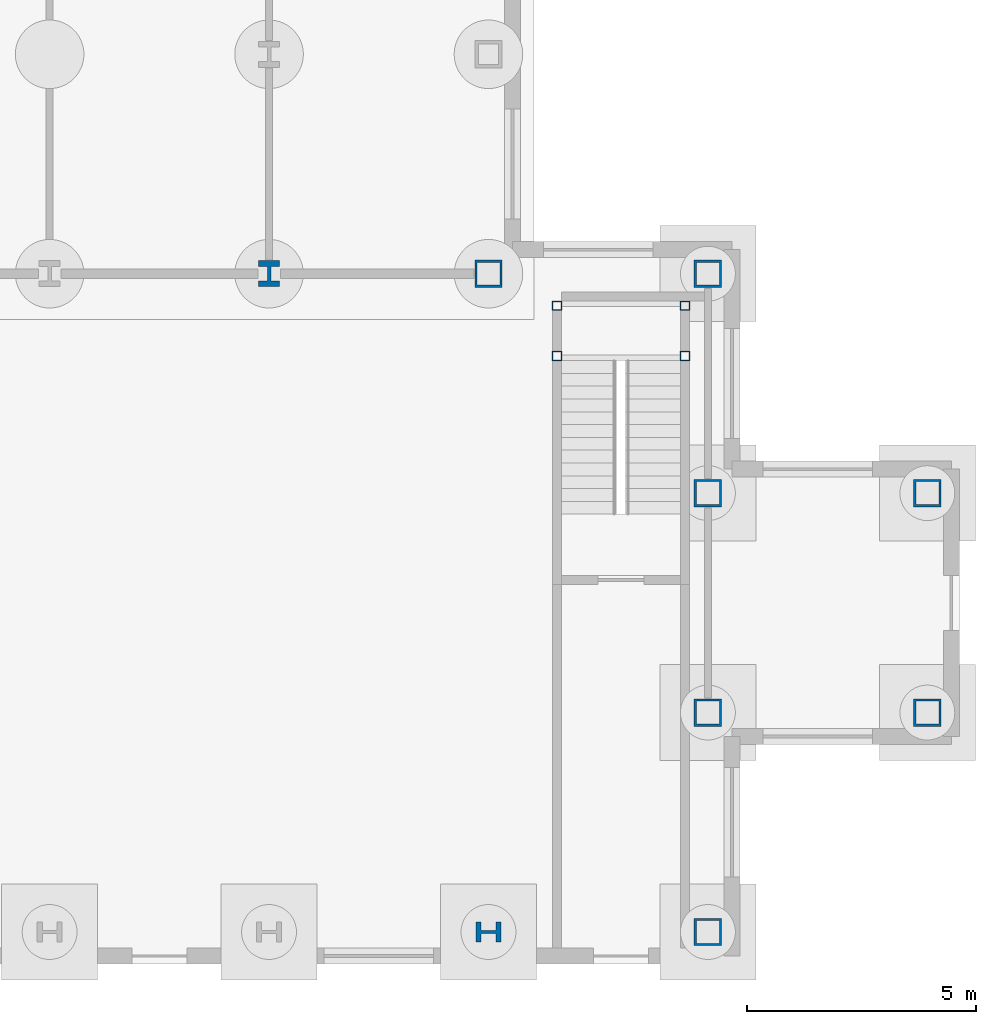
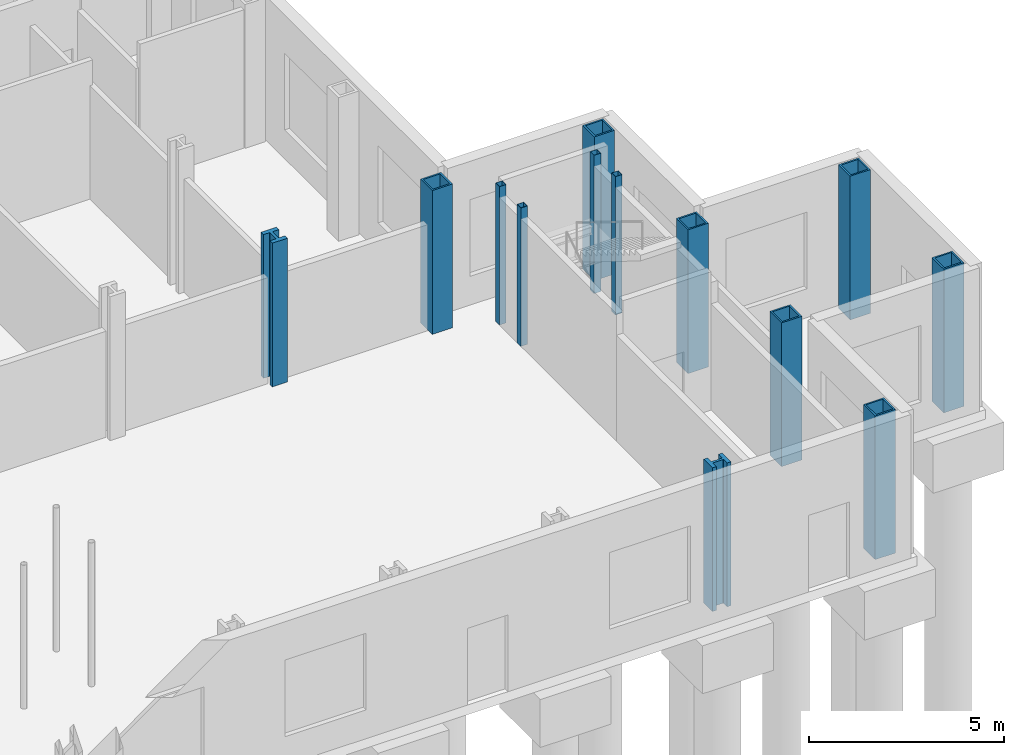
# One storey, part 6 of 22: 13 columns.
"""IFC4 building model written with IfcOpenShell, lengths in metres."""

from ifc_helpers import new_model, si_unit, direction, frame, origin, origin_2d, place, context, subcontext, project, spatial, hollow_rectangle, i_section, extrude, material, material_profile, profile_set, type_object, element, save


model = new_model("IFC4")

# Units and contexts
model_context = context("Model", 3, precision=1e-05, world=origin(), true_north=direction((0.0, 1.0)))
body_context = subcontext(model_context, "Body", "Model", "MODEL_VIEW")
ifc_project = project(units=[si_unit("LENGTHUNIT", "METRE"), si_unit("AREAUNIT", "SQUARE_METRE"), si_unit("VOLUMEUNIT", "CUBIC_METRE"), si_unit("PLANEANGLEUNIT", "RADIAN"), si_unit("MASSUNIT", "GRAM", prefix="KILO")], contexts=[model_context])

# Site, building, storey
site_placement = place(None, origin())
site = spatial("IfcSite", under=ifc_project, at=site_placement, CompositionType="ELEMENT")
building_placement = place(site_placement, origin())
building = spatial("IfcBuilding", under=site, at=building_placement, Name="Kvirike Care Tower", CompositionType="ELEMENT")
storey_placement = place(building_placement, origin())
storey = spatial("IfcBuildingStorey", under=building, at=storey_placement, Name="L00", CompositionType="ELEMENT", Elevation=0.0)

# Columns
ifc_material_1 = material(Name="Steel S460", Category="steel")
ifc_material_profile_1 = material_profile(ifc_material_1, hollow_rectangle(XDim=0.60009765625, YDim=0.60009765625, WallThickness=0.050048828125, at=origin_2d()), Name="BX 600x600x50")
ifc_profile_set_1 = profile_set([ifc_material_profile_1], Name="Steel S460")
column_type_1 = type_object("IfcColumnType", Name="COLUMN BX 600x600x50", PredefinedType="COLUMN", material=ifc_profile_set_1)
for number, where, z_axis, x_axis, name in (
    (1, (43.199951171875, 14.39990234375, 0.0), (0.0, 0.0, 1.0), (0.0, 1.0, 0.0), "Column D12 L00"),
    (2, (48.0, 0.0, 0.0), (0.0, 0.0, 1.0), (0.0, 1.0, 0.0), "Column A13 L00"),
    (3, (48.0, 4.800048828125, 0.0), (0.0, 0.0, 1.0), (0.0, 1.0, 0.0), "Column B13 L00"),
    (4, (48.0, 9.60009765625, 0.0), (0.0, 0.0, 1.0), (0.0, 1.0, 0.0), "Column C13 L00"),
    (5, (48.0, 14.39990234375, 0.0), (0.0, 0.0, 1.0), (0.0, 1.0, 0.0), "Column D13 L00"),
    (6, (52.800048828125, 4.800048828125, 0.0), (0.0, 0.0, 1.0), (0.0, 1.0, 0.0), "Column B14 L00"),
    (7, (52.800048828125, 9.60009765625, 0.0), (0.0, 0.0, 1.0), (0.0, 1.0, 0.0), "Column C14 L00"),
):
    element("IfcColumn", number, at=place(storey_placement, frame(where, z_axis=z_axis, x_axis=x_axis)), inside=storey, type_object=column_type_1, Name=name, PredefinedType="COLUMN", context=body_context, shape_type="SweptSolid", body=[
        extrude(hollow_rectangle(XDim=0.60009765625, YDim=0.60009765625, WallThickness=0.050048828125, at=origin_2d()), origin(), (0.0, 0.0, 1.0), 4.5),
    ])
ifc_material_2 = material(Name="Steel S460", Category="steel")
ifc_material_profile_2 = material_profile(ifc_material_2, i_section(OverallWidth=0.4541015625, OverallDepth=0.569091796875, WebThickness=0.077880859375, FlangeThickness=0.125, FilletRadius=0.014892578125, at=origin_2d()), Name="HD 400x1086")
ifc_profile_set_2 = profile_set([ifc_material_profile_2], Name="Steel S460")
column_type_2 = type_object("IfcColumnType", Name="COLUMN HD 400x1086", PredefinedType="COLUMN", material=ifc_profile_set_2)
column_1_placement = place(storey_placement, frame((38.39990234375, 14.39990234375, 0.0), z_axis=(0.0, 0.0, 1.0), x_axis=(1.0, 0.0, 0.0)))
element("IfcColumn", 8, at=column_1_placement, inside=storey, type_object=column_type_2, Name="Column D11 L00", PredefinedType="COLUMN", context=body_context, shape_type="SweptSolid", body=[
    extrude(i_section(OverallWidth=0.4541015625, OverallDepth=0.569091796875, WebThickness=0.077880859375, FlangeThickness=0.125, FilletRadius=0.014892578125, at=origin_2d()), origin(), (0.0, 0.0, 1.0), 4.5),
])
ifc_material_3 = material(Name="Steel S460", Category="steel")
ifc_material_profile_3 = material_profile(ifc_material_3, i_section(OverallWidth=0.447998046875, OverallDepth=0.550048828125, WebThickness=0.072021484375, FlangeThickness=0.114990234375, FilletRadius=0.014892578125, at=origin_2d()), Name="HD 400x990")
ifc_profile_set_3 = profile_set([ifc_material_profile_3], Name="Steel S460")
column_type_3 = type_object("IfcColumnType", Name="COLUMN HD 400x990", PredefinedType="COLUMN", material=ifc_profile_set_3)
column_2_placement = place(storey_placement, frame((43.199951171875, 0.0, 0.0), z_axis=(0.0, 0.0, 1.0), x_axis=(0.0, 1.0, 0.0)))
element("IfcColumn", 9, at=column_2_placement, inside=storey, type_object=column_type_3, Name="Column A12 L00", PredefinedType="COLUMN", context=body_context, shape_type="SweptSolid", body=[
    extrude(i_section(OverallWidth=0.447998046875, OverallDepth=0.550048828125, WebThickness=0.072021484375, FlangeThickness=0.114990234375, FilletRadius=0.014892578125, at=origin_2d()), origin(), (0.0, 0.0, 1.0), 4.5),
])
ifc_material_4 = material(Name="Steel S460", Category="steel")
ifc_material_profile_4 = material_profile(ifc_material_4, hollow_rectangle(XDim=0.199951171875, YDim=0.199951171875, WallThickness=0.008056640625, at=origin_2d()), Name="SHS 200x200x8")
ifc_profile_set_4 = profile_set([ifc_material_profile_4], Name="Steel S460")
column_type_4 = type_object("IfcColumnType", Name="STAIR POST SHS 200x200x8", PredefinedType="COLUMN", material=ifc_profile_set_4)
for number, where, z_axis, x_axis, name in (
    (10, (44.699951171875, 13.699951171875, 0.0), (0.0, 0.0, 1.0), (1.0, 0.0, 0.0), "Stair 4 post 1 L00"),
    (11, (47.5, 13.699951171875, 0.0), (0.0, 0.0, 1.0), (1.0, 0.0, 0.0), "Stair 4 post 2 L00"),
    (12, (44.699951171875, 12.60009765625, 0.0), (0.0, 0.0, 1.0), (1.0, 0.0, 0.0), "Stair 4 post 3 L00"),
    (13, (47.5, 12.60009765625, 0.0), (0.0, 0.0, 1.0), (1.0, 0.0, 0.0), "Stair 4 post 4 L00"),
):
    element("IfcColumn", number, at=place(storey_placement, frame(where, z_axis=z_axis, x_axis=x_axis)), inside=storey, type_object=column_type_4, Name=name, PredefinedType="COLUMN", context=body_context, shape_type="SweptSolid", body=[
        extrude(hollow_rectangle(XDim=0.199951171875, YDim=0.199951171875, WallThickness=0.008056640625, at=origin_2d()), origin(), (0.0, 0.0, 1.0), 4.330078125),
    ])

save(model, "model.ifc")
